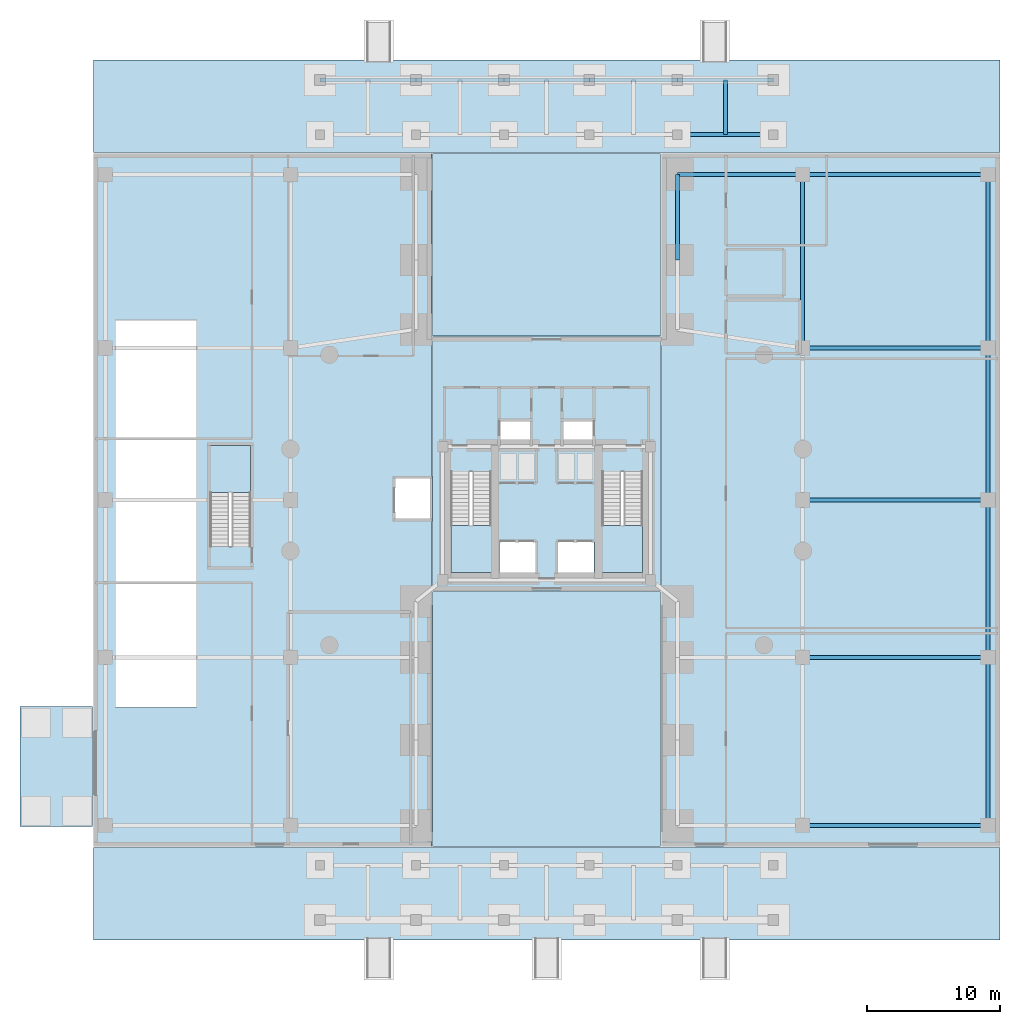
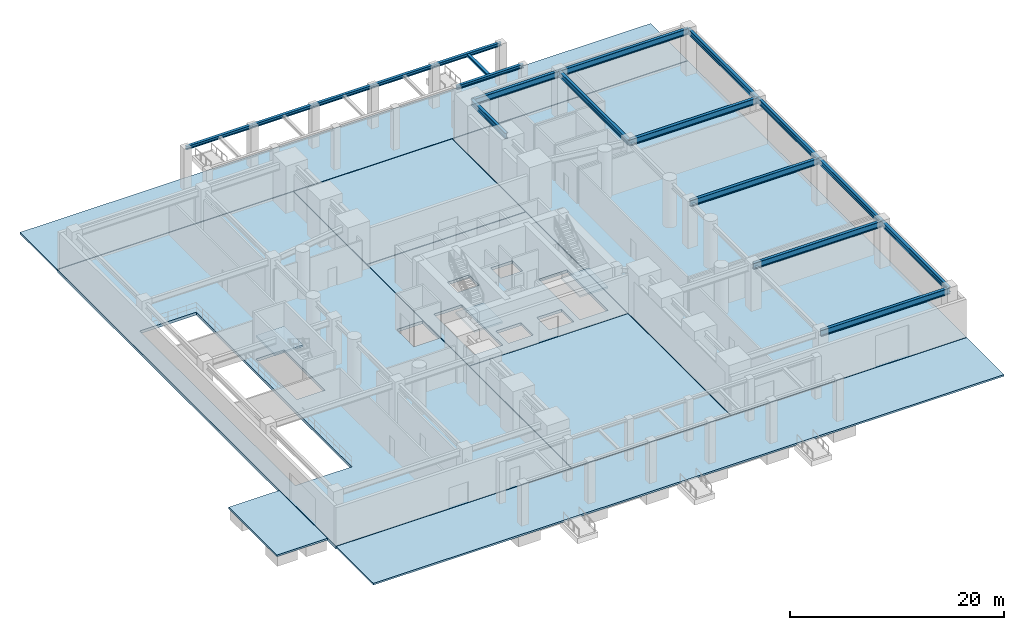
# One storey, part 3 of 11: 18 beams, 11 slabs, 1 member, 3 elements without a shape of their own.
"""IFC4 building model written with IfcOpenShell, lengths in metres."""

from ifc_helpers import new_model, si_unit, direction, frame, origin, origin_2d, place, context, subcontext, project, spatial, polyline, i_section, outline, extrude, material, layer, layer_set, material_profile, profile_set, type_object, element, aggregate, save


model = new_model("IFC4")

# Units and contexts
model_context = context("Model", 3, precision=1e-05, world=origin(), true_north=direction((0.0, 1.0)))
body_context = subcontext(model_context, "Body", "Model", "MODEL_VIEW")
ifc_project = project(units=[si_unit("LENGTHUNIT", "METRE"), si_unit("AREAUNIT", "SQUARE_METRE"), si_unit("VOLUMEUNIT", "CUBIC_METRE"), si_unit("PLANEANGLEUNIT", "RADIAN"), si_unit("MASSUNIT", "GRAM", prefix="KILO"), si_unit("THERMODYNAMICTEMPERATUREUNIT", "KELVIN"), si_unit("POWERUNIT", "WATT")], contexts=[model_context])

# Site, building, storey
site_placement = place(None, origin())
site = spatial("IfcSite", under=ifc_project, at=site_placement, CompositionType="ELEMENT")
building_placement = place(site_placement, origin())
building = spatial("IfcBuilding", under=site, at=building_placement, Name="Ocrelia Relay Tower", CompositionType="ELEMENT")
storey_placement = place(building_placement, origin())
storey = spatial("IfcBuildingStorey", under=building, at=storey_placement, Name="L00", CompositionType="ELEMENT", Elevation=0.0)

# Beams
ifc_material_1 = material(Name="Steel S355", Category="steel")
ifc_material_profile_1 = material_profile(ifc_material_1, i_section(OverallWidth=0.300048828125, OverallDepth=0.389892578125, WebThickness=0.010986328125, FlangeThickness=0.01904296875, FilletRadius=0.027099609375, at=origin_2d()), Name="HEA 400")
ifc_profile_set_1 = profile_set([ifc_material_profile_1], Name="Steel S355")
beam_type_1 = type_object("IfcBeamType", Name="BM-HEA400", PredefinedType="SPANDREL", material=ifc_profile_set_1)
beam_1_placement = place(storey_placement, frame((17.0, 57.5, 4.60009765625), z_axis=(1.0, 0.0, 0.0), x_axis=(0.0, 1.0, 0.0)))
element("IfcBeam", 1, at=beam_1_placement, inside=storey, type_object=beam_type_1, Name="N Forecourt Canopy Beam 1", PredefinedType="SPANDREL", context=body_context, shape_type="SweptSolid", body=[
    extrude(i_section(OverallWidth=0.300048828125, OverallDepth=0.389892578125, WebThickness=0.010986328125, FlangeThickness=0.01904296875, FilletRadius=0.027099609375, at=origin_2d()), origin(), (0.0, 0.0, 1.0), 7.199951171875),
])
beam_2_placement = place(storey_placement, frame((24.199951171875, 57.5, 4.60009765625), z_axis=(1.0, 0.0, 0.0), x_axis=(0.0, 1.0, 0.0)))
element("IfcBeam", 2, at=beam_2_placement, inside=storey, type_object=beam_type_1, Name="N Forecourt Canopy Beam 2", PredefinedType="SPANDREL", context=body_context, shape_type="SweptSolid", body=[
    extrude(i_section(OverallWidth=0.300048828125, OverallDepth=0.389892578125, WebThickness=0.010986328125, FlangeThickness=0.01904296875, FilletRadius=0.027099609375, at=origin_2d()), origin(), (0.0, 0.0, 1.0), 6.60009765625),
])
beam_3_placement = place(storey_placement, frame((30.800048828125, 57.5, 4.60009765625), z_axis=(1.0, 0.0, 0.0), x_axis=(0.0, 1.0, 0.0)))
element("IfcBeam", 3, at=beam_3_placement, inside=storey, type_object=beam_type_1, Name="N Forecourt Canopy Beam 3", PredefinedType="SPANDREL", context=body_context, shape_type="SweptSolid", body=[
    extrude(i_section(OverallWidth=0.300048828125, OverallDepth=0.389892578125, WebThickness=0.010986328125, FlangeThickness=0.01904296875, FilletRadius=0.027099609375, at=origin_2d()), origin(), (0.0, 0.0, 1.0), 6.39990234375),
])
beam_4_placement = place(storey_placement, frame((37.199951171875, 57.5, 4.60009765625), z_axis=(1.0, 0.0, 0.0), x_axis=(0.0, 1.0, 0.0)))
element("IfcBeam", 4, at=beam_4_placement, inside=storey, type_object=beam_type_1, Name="N Forecourt Canopy Beam 4", PredefinedType="SPANDREL", context=body_context, shape_type="SweptSolid", body=[
    extrude(i_section(OverallWidth=0.300048828125, OverallDepth=0.389892578125, WebThickness=0.010986328125, FlangeThickness=0.01904296875, FilletRadius=0.027099609375, at=origin_2d()), origin(), (0.0, 0.0, 1.0), 6.60009765625),
])
for number, where, z_axis, x_axis, name in (
    (5, (43.800048828125, 57.5, 4.60009765625), (1.0, 0.0, 0.0), (0.0, 1.0, 0.0), "N Forecourt Canopy Beam 5"),
    (6, (43.800048828125, 53.39990234375, 4.60009765625), (1.0, 0.0, 0.0), (0.0, 1.0, 0.0), "N Canopy Header Beam 5"),
):
    element("IfcBeam", number, at=place(storey_placement, frame(where, z_axis=z_axis, x_axis=x_axis)), inside=storey, type_object=beam_type_1, Name=name, PredefinedType="SPANDREL", context=body_context, shape_type="SweptSolid", body=[
        extrude(i_section(OverallWidth=0.300048828125, OverallDepth=0.389892578125, WebThickness=0.010986328125, FlangeThickness=0.01904296875, FilletRadius=0.027099609375, at=origin_2d()), origin(), (0.0, 0.0, 1.0), 7.199951171875),
    ])
ifc_material_profile_2 = material_profile(ifc_material_1, i_section(OverallWidth=0.300048828125, OverallDepth=0.60009765625, WebThickness=0.015380859375, FlangeThickness=0.030029296875, FilletRadius=0.027099609375, at=origin_2d()), Name="HEB 600")
ifc_profile_set_2 = profile_set([ifc_material_profile_2], Name="Steel S355")
beam_type_2 = type_object("IfcBeamType", Name="BM-HEB600", PredefinedType="BEAM", material=ifc_profile_set_2)
beam_5_placement = place(storey_placement, frame((53.199951171875, 37.39990234375, 4.780029296875), z_axis=(0.0, 1.0, 0.0), x_axis=(-1.0, 0.0, 0.0)))
element("IfcBeam", 7, at=beam_5_placement, inside=storey, type_object=beam_type_2, Name="L00 Podium Span Girder IE-4", PredefinedType="BEAM", context=body_context, shape_type="SweptSolid", body=[
    extrude(i_section(OverallWidth=0.300048828125, OverallDepth=0.60009765625, WebThickness=0.015380859375, FlangeThickness=0.030029296875, FilletRadius=0.027099609375, at=origin_2d()), origin(), (0.0, 0.0, 1.0), 13.0),
])
beam_6_placement = place(storey_placement, frame((67.10009765625, 1.60009765625, 4.780029296875), z_axis=(0.0, 1.0, 0.0), x_axis=(-1.0, 0.0, 0.0)))
element("IfcBeam", 8, at=beam_6_placement, inside=storey, type_object=beam_type_2, Name="L00 Podium Span Girder E-1", PredefinedType="BEAM", context=body_context, shape_type="SweptSolid", body=[
    extrude(i_section(OverallWidth=0.300048828125, OverallDepth=0.60009765625, WebThickness=0.015380859375, FlangeThickness=0.030029296875, FilletRadius=0.027099609375, at=origin_2d()), origin(), (0.0, 0.0, 1.0), 12.599853515625),
])
beam_7_placement = place(storey_placement, frame((67.10009765625, 14.199951171875, 4.780029296875), z_axis=(0.0, 1.0, 0.0), x_axis=(-1.0, 0.0, 0.0)))
element("IfcBeam", 9, at=beam_7_placement, inside=storey, type_object=beam_type_2, Name="L00 Podium Span Girder E-2", PredefinedType="BEAM", context=body_context, shape_type="SweptSolid", body=[
    extrude(i_section(OverallWidth=0.300048828125, OverallDepth=0.60009765625, WebThickness=0.015380859375, FlangeThickness=0.030029296875, FilletRadius=0.027099609375, at=origin_2d()), origin(), (0.0, 0.0, 1.0), 11.800048828125),
])
beam_8_placement = place(storey_placement, frame((67.10009765625, 26.0, 4.780029296875), z_axis=(0.0, 1.0, 0.0), x_axis=(-1.0, 0.0, 0.0)))
element("IfcBeam", 10, at=beam_8_placement, inside=storey, type_object=beam_type_2, Name="L00 Podium Span Girder E-3", PredefinedType="BEAM", context=body_context, shape_type="SweptSolid", body=[
    extrude(i_section(OverallWidth=0.300048828125, OverallDepth=0.60009765625, WebThickness=0.015380859375, FlangeThickness=0.030029296875, FilletRadius=0.027099609375, at=origin_2d()), origin(), (0.0, 0.0, 1.0), 11.39990234375),
])
beam_9_placement = place(storey_placement, frame((67.10009765625, 37.39990234375, 4.780029296875), z_axis=(0.0, 1.0, 0.0), x_axis=(-1.0, 0.0, 0.0)))
element("IfcBeam", 11, at=beam_9_placement, inside=storey, type_object=beam_type_2, Name="L00 Podium Span Girder E-4", PredefinedType="BEAM", context=body_context, shape_type="SweptSolid", body=[
    extrude(i_section(OverallWidth=0.300048828125, OverallDepth=0.60009765625, WebThickness=0.015380859375, FlangeThickness=0.030029296875, FilletRadius=0.027099609375, at=origin_2d()), origin(), (0.0, 0.0, 1.0), 13.0),
])
beam_10_placement = place(storey_placement, frame((43.800048828125, 44.0, 4.780029296875), z_axis=(0.0, 1.0, 0.0), x_axis=(-1.0, 0.0, 0.0)))
element("IfcBeam", 12, at=beam_10_placement, inside=storey, type_object=beam_type_2, Name="L00 Pier Line Tie Girder AE-5", PredefinedType="BEAM", context=body_context, shape_type="SweptSolid", body=[
    extrude(i_section(OverallWidth=0.300048828125, OverallDepth=0.60009765625, WebThickness=0.015380859375, FlangeThickness=0.030029296875, FilletRadius=0.027099609375, at=origin_2d()), origin(), (0.0, 0.0, 1.0), 6.39990234375),
])
ifc_material_profile_3 = material_profile(ifc_material_1, i_section(OverallWidth=0.300048828125, OverallDepth=0.699951171875, WebThickness=0.01708984375, FlangeThickness=0.031982421875, FilletRadius=0.027099609375, at=origin_2d()), Name="HEB 700")
ifc_profile_set_3 = profile_set([ifc_material_profile_3], Name="Steel S355")
beam_type_3 = type_object("IfcBeamType", Name="BM-HEB700", PredefinedType="BEAM", material=ifc_profile_set_3)
for number, where, z_axis, x_axis, name in (
    (13, (53.199951171875, 1.60009765625, 4.72998046875), (1.0, 0.0, 0.0), (0.0, 1.0, 0.0), "L00 East Outer Podium Girder S"),
    (14, (53.199951171875, 14.199951171875, 4.72998046875), (1.0, 0.0, 0.0), (0.0, 1.0, 0.0), "L00 East Outer Podium Girder M1"),
    (15, (53.199951171875, 37.39990234375, 4.72998046875), (1.0, 0.0, 0.0), (0.0, 1.0, 0.0), "L00 East Outer Podium Girder M2"),
):
    element("IfcBeam", number, at=place(storey_placement, frame(where, z_axis=z_axis, x_axis=x_axis)), inside=storey, type_object=beam_type_3, Name=name, PredefinedType="BEAM", context=body_context, shape_type="SweptSolid", body=[
        extrude(i_section(OverallWidth=0.300048828125, OverallDepth=0.699951171875, WebThickness=0.01708984375, FlangeThickness=0.031982421875, FilletRadius=0.027099609375, at=origin_2d()), origin(), (0.0, 0.0, 1.0), 13.900146484375),
    ])
beam_11_placement = place(storey_placement, frame((43.800048828125, 50.39990234375, 4.72998046875), z_axis=(1.0, 0.0, 0.0), x_axis=(0.0, 1.0, 0.0)))
element("IfcBeam", 16, at=beam_11_placement, inside=storey, type_object=beam_type_3, Name="L00 East Inner Podium Girder N", PredefinedType="BEAM", context=body_context, shape_type="SweptSolid", body=[
    extrude(i_section(OverallWidth=0.300048828125, OverallDepth=0.699951171875, WebThickness=0.01708984375, FlangeThickness=0.031982421875, FilletRadius=0.027099609375, at=origin_2d()), origin(), (0.0, 0.0, 1.0), 9.39990234375),
])
for number, where, z_axis, x_axis, name in (
    (17, (53.199951171875, 50.39990234375, 4.72998046875), (1.0, 0.0, 0.0), (0.0, 1.0, 0.0), "L00 East Outer Podium Girder N"),
    (18, (53.199951171875, 26.0, 4.72998046875), (1.0, 0.0, 0.0), (0.0, 1.0, 0.0), "L00 East Mid Podium Girder"),
):
    element("IfcBeam", number, at=place(storey_placement, frame(where, z_axis=z_axis, x_axis=x_axis)), inside=storey, type_object=beam_type_3, Name=name, PredefinedType="BEAM", context=body_context, shape_type="SweptSolid", body=[
        extrude(i_section(OverallWidth=0.300048828125, OverallDepth=0.699951171875, WebThickness=0.01708984375, FlangeThickness=0.031982421875, FilletRadius=0.027099609375, at=origin_2d()), origin(), (0.0, 0.0, 1.0), 13.900146484375),
    ])

# Member
ifc_material_profile_4 = material_profile(ifc_material_1, i_section(OverallWidth=0.300048828125, OverallDepth=0.31005859375, WebThickness=0.009033203125, FlangeThickness=0.015380859375, FilletRadius=0.027099609375, at=origin_2d()), Name="HEA 320")
ifc_profile_set_4 = profile_set([ifc_material_profile_4], Name="Steel S355")
member_type = type_object("IfcMemberType", Name="MB-CANOPY-PURLIN", PredefinedType="PURLIN", material=ifc_profile_set_4)
member_placement = place(storey_placement, frame((47.39990234375, 53.39990234375, 4.60009765625), z_axis=(0.0, 1.0, 0.0), x_axis=(-1.0, 0.0, 0.0)))
element("IfcMember", 19, at=member_placement, inside=storey, type_object=member_type, Name="N Forecourt Canopy Purlin 5", PredefinedType="PURLIN", context=body_context, shape_type="SweptSolid", body=[
    extrude(i_section(OverallWidth=0.300048828125, OverallDepth=0.31005859375, WebThickness=0.009033203125, FlangeThickness=0.015380859375, FilletRadius=0.027099609375, at=origin_2d()), origin(), (0.0, 0.0, 1.0), 4.10009765625),
])

# Slabs
ifc_material_2 = material(Name="Concrete C50/60", Category="concrete")
ifc_layer_1 = layer(ifc_material_2, 0.320068359375, Name="Concrete C50/60")
ifc_layer_set_1 = layer_set([ifc_layer_1], Name="Concrete C50/60")
slab_type_1 = type_object("IfcSlabType", Name="SL-FLR-320", PredefinedType="FLOOR", material=ifc_layer_set_1)
slab_1_placement = place(storey_placement, frame((0.0, 0.0, -0.320068359375)))
element("IfcSlab", 20, at=slab_1_placement, inside=storey, type_object=slab_type_1, Name="L00 West Podium Ground Slab", PredefinedType="FLOOR", context=body_context, shape_type="SweptSolid", body=[
    extrude(outline(polyline([(0.0, 0.0), (25.39990234375, 0.0), (25.39990234375, 52.0), (0.0, 52.0), (0.0, 0.0)]), holes=[polyline([(11.800048828125, 22.5), (11.800048828125, 30.10009765625), (8.760009765625, 30.10009765625), (8.760009765625, 22.5), (11.800048828125, 22.5)]), polyline([(22.550048828125, 24.5), (25.35009765625, 24.5), (25.35009765625, 27.699951171875), (22.550048828125, 27.699951171875), (22.550048828125, 24.5)]), polyline([(1.64990234375, 10.449951171875), (7.75, 10.449951171875), (7.75, 39.5), (1.64990234375, 39.5), (1.64990234375, 10.449951171875)])]), origin(), (0.0, 0.0, 1.0), 0.320068359375),
])
slab_2_placement = place(storey_placement, frame((0.0, 0.0, -0.320068359375)))
element("IfcSlab", 21, at=slab_2_placement, inside=storey, type_object=slab_type_1, Name="L00 East Podium Ground Slab", PredefinedType="FLOOR", context=body_context, shape_type="SweptSolid", body=[
    extrude(outline(polyline([(42.60009765625, 0.0), (68.0, 0.0), (68.0, 52.0), (42.60009765625, 52.0), (42.60009765625, 0.0)])), origin(), (0.0, 0.0, 1.0), 0.320068359375),
])
slab_3_placement = place(storey_placement, frame((0.0, 0.0, -0.320068359375)))
element("IfcSlab", 22, at=slab_3_placement, inside=storey, type_object=slab_type_1, Name="L00 Central Core Lobby Slab", PredefinedType="FLOOR", context=body_context, shape_type="SweptSolid", body=[
    extrude(outline(polyline([(25.449951171875, 19.199951171875), (42.550048828125, 19.199951171875), (42.550048828125, 38.25), (25.449951171875, 38.25), (25.449951171875, 19.199951171875)]), holes=[polyline([(26.81005859375, 28.14990234375), (26.81005859375, 20.550048828125), (29.85009765625, 20.550048828125), (29.85009765625, 28.14990234375), (26.81005859375, 28.14990234375)]), polyline([(38.159912109375, 28.14990234375), (38.159912109375, 20.550048828125), (41.199951171875, 20.550048828125), (41.199951171875, 28.14990234375), (38.159912109375, 28.14990234375)]), polyline([(30.4599609375, 20.550048828125), (33.159912109375, 20.550048828125), (33.159912109375, 22.85009765625), (30.4599609375, 22.85009765625), (30.4599609375, 20.550048828125)]), polyline([(34.840087890625, 20.550048828125), (37.5400390625, 20.550048828125), (37.5400390625, 22.85009765625), (34.840087890625, 22.85009765625), (34.840087890625, 20.550048828125)]), polyline([(30.5, 30.10009765625), (32.85009765625, 30.10009765625), (32.85009765625, 32.0), (30.5, 32.0), (30.5, 30.10009765625)]), polyline([(35.14990234375, 30.10009765625), (37.5, 30.10009765625), (37.5, 32.0), (35.14990234375, 32.0), (35.14990234375, 30.10009765625)])]), origin(), (0.0, 0.0, 1.0), 0.320068359375),
])

# Stair, slab
stair_type = type_object("IfcStairType", Name="ST-DL-1420-R180", PredefinedType="HALF_TURN_STAIR", material=ifc_material_2)
stair_1_placement = place(storey_placement, origin())
stair_1 = element("IfcStair", 23, at=stair_1_placement, inside=storey, type_object=stair_type, Name="L00 West Core Exit Stair ST1", PredefinedType="HALF_TURN_STAIR")
ifc_layer_2 = layer(ifc_material_2, 0.199951171875, Name="Concrete C50/60")
ifc_layer_set_2 = layer_set([ifc_layer_2], Name="Concrete C50/60")
slab_type_2 = type_object("IfcSlabType", Name="SL-LANDING-200", PredefinedType="LANDING", material=ifc_layer_set_2)
slab_4_placement = place(storey_placement, frame((0.0, 0.0, 2.5)))
slab_4 = element("IfcSlab", 24, at=slab_4_placement, type_object=slab_type_2, Name="ST1 landing 1", PredefinedType="LANDING", context=body_context, shape_type="SweptSolid", body=[
    extrude(outline(polyline([(26.81005859375, 24.090087890625), (26.81005859375, 20.550048828125), (29.85009765625, 20.550048828125), (29.85009765625, 24.090087890625), (26.81005859375, 24.090087890625)])), origin(), (0.0, 0.0, 1.0), 0.199951171875),
])
aggregate(stair_1, [slab_4])

stair_2_placement = place(storey_placement, origin())
stair_2 = element("IfcStair", 25, at=stair_2_placement, inside=storey, type_object=stair_type, Name="L00 East Core Exit Stair ST2", PredefinedType="HALF_TURN_STAIR")
slab_5_placement = place(storey_placement, frame((0.0, 0.0, 2.5)))
slab_5 = element("IfcSlab", 26, at=slab_5_placement, type_object=slab_type_2, Name="ST2 landing 1", PredefinedType="LANDING", context=body_context, shape_type="SweptSolid", body=[
    extrude(outline(polyline([(38.159912109375, 24.090087890625), (38.159912109375, 20.550048828125), (41.199951171875, 20.550048828125), (41.199951171875, 24.090087890625), (38.159912109375, 24.090087890625)])), origin(), (0.0, 0.0, 1.0), 0.199951171875),
])
aggregate(stair_2, [slab_5])

stair_3_placement = place(storey_placement, origin())
stair_3 = element("IfcStair", 27, at=stair_3_placement, inside=storey, type_object=stair_type, Name="L00 Podium West Exit Stair ST3", PredefinedType="HALF_TURN_STAIR")
slab_6_placement = place(storey_placement, frame((0.0, 0.0, 2.5)))
slab_6 = element("IfcSlab", 28, at=slab_6_placement, type_object=slab_type_2, Name="ST3 landing 1", PredefinedType="LANDING", context=body_context, shape_type="SweptSolid", body=[
    extrude(outline(polyline([(11.800048828125, 26.56005859375), (11.800048828125, 30.10009765625), (8.760009765625, 30.10009765625), (8.760009765625, 26.56005859375), (11.800048828125, 26.56005859375)])), origin(), (0.0, 0.0, 1.0), 0.199951171875),
])
aggregate(stair_3, [slab_6])

# Slabs
ifc_material_3 = material(Name="Granite stone paving", Category="masonry")
ifc_layer_3 = layer(ifc_material_3, 0.199951171875, Name="Granite stone paving")
ifc_layer_set_3 = layer_set([ifc_layer_3], Name="Granite stone paving")
slab_type_3 = type_object("IfcSlabType", Name="SL-PLAZA-200", PredefinedType="USERDEFINED", material=ifc_layer_set_3)
slab_7_placement = place(storey_placement, frame((0.0, 0.0, -0.199951171875)))
element("IfcSlab", 29, at=slab_7_placement, inside=storey, type_object=slab_type_3, Name="South Street Forecourt and Dock Apron Paving", ObjectType="PAVING", PredefinedType="USERDEFINED", context=body_context, shape_type="SweptSolid", body=[
    extrude(outline(polyline([(0.0, -7.0), (68.0, -7.0), (68.0, -0.050048828125), (0.0, -0.050048828125), (0.0, -7.0)])), origin(), (0.0, 0.0, 1.0), 0.199951171875),
])
slab_8_placement = place(storey_placement, frame((0.0, 0.0, -0.199951171875)))
element("IfcSlab", 30, at=slab_8_placement, inside=storey, type_object=slab_type_3, Name="North Street Forecourt Plaza Paving", ObjectType="PAVING", PredefinedType="USERDEFINED", context=body_context, shape_type="SweptSolid", body=[
    extrude(outline(polyline([(0.0, 52.050048828125), (68.0, 52.050048828125), (68.0, 59.0), (0.0, 59.0), (0.0, 52.050048828125)])), origin(), (0.0, 0.0, 1.0), 0.199951171875),
])
slab_9_placement = place(storey_placement, frame((0.0, 0.0, -0.199951171875)))
element("IfcSlab", 31, at=slab_9_placement, inside=storey, type_object=slab_type_3, Name="West Car Park Ramp Driveway Apron Paving", ObjectType="PAVING", PredefinedType="USERDEFINED", context=body_context, shape_type="SweptSolid", body=[
    extrude(outline(polyline([(-5.5, 1.5), (-0.050048828125, 1.5), (-0.050048828125, 10.5), (-5.5, 10.5), (-5.5, 1.5)])), origin(), (0.0, 0.0, 1.0), 0.199951171875),
])
slab_10_placement = place(storey_placement, frame((0.0, 0.0, -0.199951171875)))
element("IfcSlab", 32, at=slab_10_placement, inside=storey, type_object=slab_type_3, Name="South Portal Arch Passage Paving", ObjectType="PAVING", PredefinedType="USERDEFINED", context=body_context, shape_type="SweptSolid", body=[
    extrude(outline(polyline([(25.449951171875, 0.0), (42.550048828125, 0.0), (42.550048828125, 19.14990234375), (25.449951171875, 19.14990234375), (25.449951171875, 0.0)])), origin(), (0.0, 0.0, 1.0), 0.199951171875),
])
slab_11_placement = place(storey_placement, frame((0.0, 0.0, -0.199951171875)))
element("IfcSlab", 33, at=slab_11_placement, inside=storey, type_object=slab_type_3, Name="North Portal Arch Passage Paving", ObjectType="PAVING", PredefinedType="USERDEFINED", context=body_context, shape_type="SweptSolid", body=[
    extrude(outline(polyline([(25.449951171875, 38.300048828125), (42.550048828125, 38.300048828125), (42.550048828125, 52.0), (25.449951171875, 52.0), (25.449951171875, 38.300048828125)])), origin(), (0.0, 0.0, 1.0), 0.199951171875),
])

save(model, "model.ifc")
